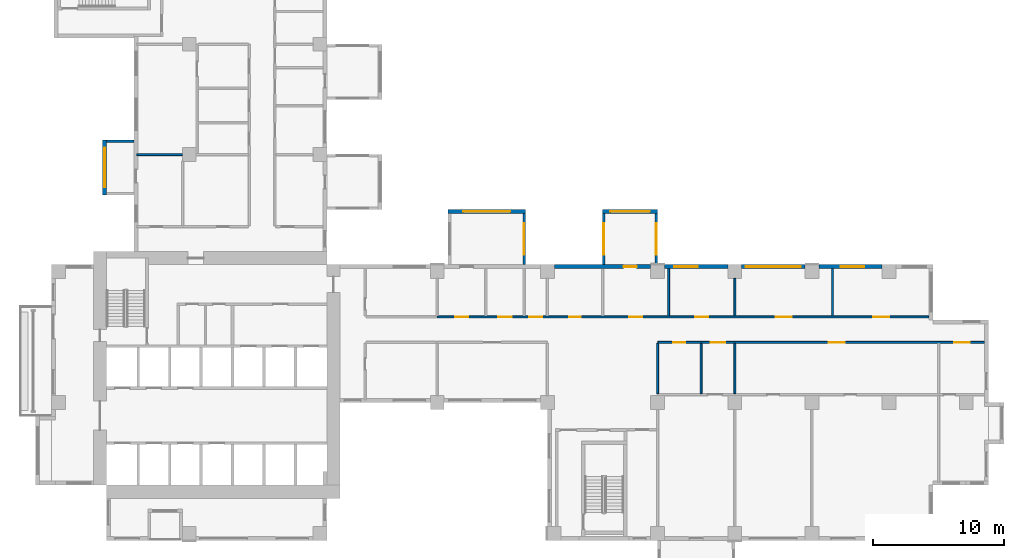
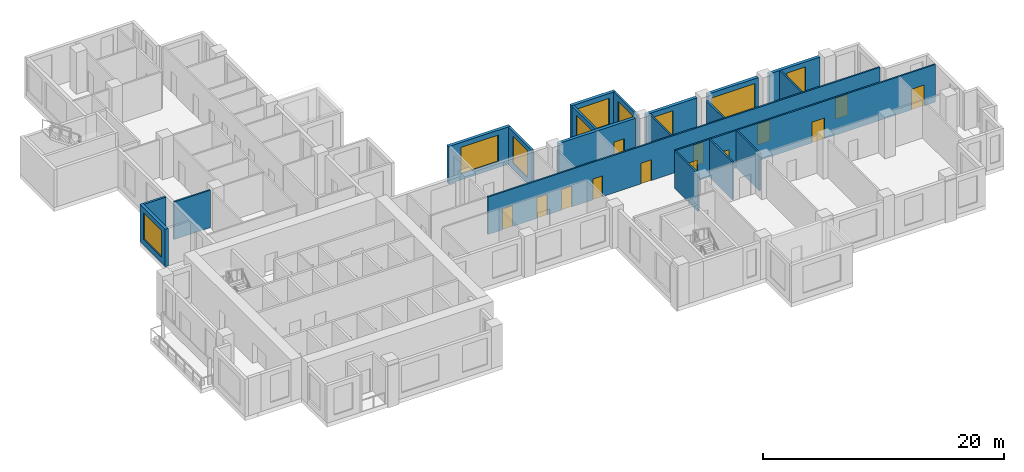
# One storey, part 5 of 14: 20 walls, 13 doors, 9 windows, 22 openings.
"""IFC4 building model written with IfcOpenShell, lengths in metres."""

from ifc_helpers import new_model, si_unit, direction, frame, frame_2d, origin, place, context, subcontext, project, spatial, rectangle, extrude, source, transform, mapped, material, layer, layer_set, type_object, element, fill, save


model = new_model("IFC4")

# Units and contexts
model_context = context("Model", 3, precision=1e-05, world=origin(), true_north=direction((0.0, 1.0)))
body_context = subcontext(model_context, "Body", "Model", "MODEL_VIEW")
ifc_project = project(units=[si_unit("LENGTHUNIT", "METRE"), si_unit("AREAUNIT", "SQUARE_METRE"), si_unit("VOLUMEUNIT", "CUBIC_METRE"), si_unit("PLANEANGLEUNIT", "RADIAN"), si_unit("MASSUNIT", "GRAM", prefix="KILO")], contexts=[model_context])

# Site, building, storey
site_placement = place(None, origin())
site = spatial("IfcSite", under=ifc_project, at=site_placement, CompositionType="ELEMENT")
building_placement = place(site_placement, origin())
building = spatial("IfcBuilding", under=site, at=building_placement, Name="Aurelian Terraces", CompositionType="ELEMENT")
storey_placement = place(building_placement, frame((0.0, 0.0, 149.7)))
storey = spatial("IfcBuildingStorey", under=building, at=storey_placement, Name="L33", CompositionType="ELEMENT", Elevation=149.7)

# Wall, opening, window
ifc_material_1 = material(Name="Concrete fc' 40 MPa", Category="concrete")
ifc_layer_1 = layer(ifc_material_1, 0.2)
ifc_layer_set_1 = layer_set([ifc_layer_1], Name="BOX BEARING WALL 200")
wall_type_1 = type_object("IfcWallType", Name="BOX BEARING WALL 200", PredefinedType="SOLIDWALL", material=ifc_layer_set_1)
shared_shape_1 = source(origin(), body_context, "Body", "SweptSolid", [
    extrude(rectangle(XDim=3.9, YDim=0.2, at=frame_2d((1.95, 0.0))), origin(), (0.0, 0.0, 1.0), 3.79),
])
wall_1_placement = place(storey_placement, frame((36.02, 21.0, 0.0), z_axis=(0.0, 0.0, 1.0), x_axis=(0.0, 1.0, 0.0)))
wall_1 = element("IfcWall", 1, at=wall_1_placement, inside=storey, type_object=wall_type_1, Name="Box return L33 J47.1", PredefinedType="SOLIDWALL", context=body_context, shape_type="MappedRepresentation", body=[
    mapped(shared_shape_1, transform((0.0, 0.0, 0.0), scale=1.0)),
])
shared_shape_2 = source(origin(), body_context, "Body", "SweptSolid", [
    extrude(rectangle(XDim=2.4, YDim=2.7, at=frame_2d((1.2, 1.35))), frame((0.0, 0.11, 0.0), z_axis=(0.0, -1.0, 0.0), x_axis=(1.0, 0.0, 0.0)), (0.0, 0.0, 1.0), 0.22),
])
opening_1_placement = place(wall_1_placement, frame((0.75, 0.0, 0.6)))
opening_1 = element("IfcOpeningElement", 2, at=opening_1_placement, cuts=wall_1, Name="Opening W2427", PredefinedType="OPENING", context=body_context, shape_type="MappedRepresentation", body=[
    mapped(shared_shape_2, transform((0.0, 0.0, 0.0), scale=1.0)),
])
ifc_material_2 = material(Name="Clear glazing", Category="glass")
window_type_1 = type_object("IfcWindowType", Name="W-2400x2700", PartitioningType="SINGLE_PANEL", PredefinedType="WINDOW", material=ifc_material_2)
shared_shape_3 = source(origin(), body_context, "Body", "SweptSolid", [
    extrude(rectangle(XDim=2.4, YDim=2.7, at=frame_2d((1.2, 1.35))), frame((0.0, 0.03, 0.0), z_axis=(0.0, -1.0, 0.0), x_axis=(1.0, 0.0, 0.0)), (0.0, 0.0, 1.0), 0.06),
])
window_1_placement = place(opening_1_placement, origin())
window_1 = element("IfcWindow", 3, at=window_1_placement, inside=storey, type_object=window_type_1, Name="Window L33 J47-S1", OverallHeight=2.7, OverallWidth=2.4, PartitioningType="SINGLE_PANEL", PredefinedType="WINDOW", context=body_context, shape_type="MappedRepresentation", body=[
    mapped(shared_shape_3, transform((0.0, 0.0, 0.0), scale=1.0)),
])
fill(opening_1, window_1)

wall_2_placement = place(storey_placement, frame((46.1, 21.0, 0.0), z_axis=(0.0, 0.0, 1.0), x_axis=(0.0, 1.0, 0.0)))
wall_2 = element("IfcWall", 4, at=wall_2_placement, inside=storey, type_object=wall_type_1, Name="Box return L33 J48.1", PredefinedType="SOLIDWALL", context=body_context, shape_type="MappedRepresentation", body=[
    mapped(shared_shape_1, transform((0.0, 0.0, 0.0), scale=1.0)),
])
opening_2_placement = place(wall_2_placement, frame((0.75, 0.0, 0.6)))
opening_2 = element("IfcOpeningElement", 5, at=opening_2_placement, cuts=wall_2, Name="Opening W2427", PredefinedType="OPENING", context=body_context, shape_type="MappedRepresentation", body=[
    mapped(shared_shape_2, transform((0.0, 0.0, 0.0), scale=1.0)),
])
window_2_placement = place(opening_2_placement, origin())
window_2 = element("IfcWindow", 6, at=window_2_placement, inside=storey, type_object=window_type_1, Name="Window L33 J48-S1", OverallHeight=2.7, OverallWidth=2.4, PartitioningType="SINGLE_PANEL", PredefinedType="WINDOW", context=body_context, shape_type="MappedRepresentation", body=[
    mapped(shared_shape_3, transform((0.0, 0.0, 0.0), scale=1.0)),
])
fill(opening_2, window_2)

wall_3_placement = place(storey_placement, frame((42.1, 21.0, 0.0), z_axis=(0.0, 0.0, 1.0), x_axis=(0.0, 1.0, 0.0)))
wall_3 = element("IfcWall", 7, at=wall_3_placement, inside=storey, type_object=wall_type_1, Name="Box return L33 J48.2", PredefinedType="SOLIDWALL", context=body_context, shape_type="MappedRepresentation", body=[
    mapped(shared_shape_1, transform((0.0, 0.0, 0.0), scale=1.0)),
])
opening_3_placement = place(wall_3_placement, frame((0.75, 0.0, 0.6)))
opening_3 = element("IfcOpeningElement", 8, at=opening_3_placement, cuts=wall_3, Name="Opening W2427", PredefinedType="OPENING", context=body_context, shape_type="MappedRepresentation", body=[
    mapped(shared_shape_2, transform((0.0, 0.0, 0.0), scale=1.0)),
])
window_3_placement = place(opening_3_placement, origin())
window_3 = element("IfcWindow", 9, at=window_3_placement, inside=storey, type_object=window_type_1, Name="Window L33 J48-S2", OverallHeight=2.7, OverallWidth=2.4, PartitioningType="SINGLE_PANEL", PredefinedType="WINDOW", context=body_context, shape_type="MappedRepresentation", body=[
    mapped(shared_shape_3, transform((0.0, 0.0, 0.0), scale=1.0)),
])
fill(opening_3, window_3)

ifc_layer_2 = layer(ifc_material_1, 0.3)
ifc_layer_set_2 = layer_set([ifc_layer_2], Name="BOX BEARING WALL 300")
wall_type_2 = type_object("IfcWallType", Name="BOX BEARING WALL 300", PredefinedType="SOLIDWALL", material=ifc_layer_set_2)
shared_shape_4 = source(origin(), body_context, "Body", "SweptSolid", [
    extrude(rectangle(XDim=5.88, YDim=0.3, at=frame_2d((2.94, 0.0))), origin(), (0.0, 0.0, 1.0), 3.79),
])
wall_4_placement = place(storey_placement, frame((36.12, 25.05, 0.0), z_axis=(0.0, 0.0, 1.0), x_axis=(-1.0, 0.0, 0.0)))
wall_4 = element("IfcWall", 10, at=wall_4_placement, inside=storey, type_object=wall_type_2, Name="Box wall L33 J47", PredefinedType="SOLIDWALL", context=body_context, shape_type="MappedRepresentation", body=[
    mapped(shared_shape_4, transform((0.0, 0.0, 0.0), scale=1.0)),
])
shared_shape_5 = source(origin(), body_context, "Body", "SweptSolid", [
    extrude(rectangle(XDim=3.6, YDim=2.7, at=frame_2d((1.8, 1.35))), frame((0.0, 0.16, 0.0), z_axis=(0.0, -1.0, 0.0), x_axis=(1.0, 0.0, 0.0)), (0.0, 0.0, 1.0), 0.32),
])
opening_4_placement = place(wall_4_placement, frame((1.14, 0.0, 0.6)))
opening_4 = element("IfcOpeningElement", 11, at=opening_4_placement, cuts=wall_4, Name="Opening W3627", PredefinedType="OPENING", context=body_context, shape_type="MappedRepresentation", body=[
    mapped(shared_shape_5, transform((0.0, 0.0, 0.0), scale=1.0)),
])
window_type_2 = type_object("IfcWindowType", Name="W-3600x2700", PartitioningType="SINGLE_PANEL", PredefinedType="WINDOW", material=ifc_material_2)
shared_shape_6 = source(origin(), body_context, "Body", "SweptSolid", [
    extrude(rectangle(XDim=3.6, YDim=2.7, at=frame_2d((1.8, 1.35))), frame((0.0, 0.03, 0.0), z_axis=(0.0, -1.0, 0.0), x_axis=(1.0, 0.0, 0.0)), (0.0, 0.0, 1.0), 0.06),
])
window_4_placement = place(opening_4_placement, origin())
window_4 = element("IfcWindow", 12, at=window_4_placement, inside=storey, type_object=window_type_2, Name="Window L33 J47-F1", OverallHeight=2.7, OverallWidth=3.6, PartitioningType="SINGLE_PANEL", PredefinedType="WINDOW", context=body_context, shape_type="MappedRepresentation", body=[
    mapped(shared_shape_6, transform((0.0, 0.0, 0.0), scale=1.0)),
])
fill(opening_4, window_4)

shared_shape_7 = source(origin(), body_context, "Body", "SweptSolid", [
    extrude(rectangle(XDim=4.2, YDim=0.3, at=frame_2d((2.1, 0.0))), origin(), (0.0, 0.0, 1.0), 3.79),
])
wall_5_placement = place(storey_placement, frame((46.2, 25.05, 0.0), z_axis=(0.0, 0.0, 1.0), x_axis=(-1.0, 0.0, 0.0)))
wall_5 = element("IfcWall", 13, at=wall_5_placement, inside=storey, type_object=wall_type_2, Name="Box wall L33 J48", PredefinedType="SOLIDWALL", context=body_context, shape_type="MappedRepresentation", body=[
    mapped(shared_shape_7, transform((0.0, 0.0, 0.0), scale=1.0)),
])
shared_shape_8 = source(origin(), body_context, "Body", "SweptSolid", [
    extrude(rectangle(XDim=3.0, YDim=2.7, at=frame_2d((1.5, 1.35))), frame((0.0, 0.16, 0.0), z_axis=(0.0, -1.0, 0.0), x_axis=(1.0, 0.0, 0.0)), (0.0, 0.0, 1.0), 0.32),
])
opening_5_placement = place(wall_5_placement, frame((0.6, 0.0, 0.6)))
opening_5 = element("IfcOpeningElement", 14, at=opening_5_placement, cuts=wall_5, Name="Opening W3027", PredefinedType="OPENING", context=body_context, shape_type="MappedRepresentation", body=[
    mapped(shared_shape_8, transform((0.0, 0.0, 0.0), scale=1.0)),
])
window_type_3 = type_object("IfcWindowType", Name="W-3000x2700", PartitioningType="SINGLE_PANEL", PredefinedType="WINDOW", material=ifc_material_2)
shared_shape_9 = source(origin(), body_context, "Body", "SweptSolid", [
    extrude(rectangle(XDim=3.0, YDim=2.7, at=frame_2d((1.5, 1.35))), frame((0.0, 0.03, 0.0), z_axis=(0.0, -1.0, 0.0), x_axis=(1.0, 0.0, 0.0)), (0.0, 0.0, 1.0), 0.06),
])
window_5_placement = place(opening_5_placement, origin())
window_5 = element("IfcWindow", 15, at=window_5_placement, inside=storey, type_object=window_type_3, Name="Window L33 J48-F1", OverallHeight=2.7, OverallWidth=3.0, PartitioningType="SINGLE_PANEL", PredefinedType="WINDOW", context=body_context, shape_type="MappedRepresentation", body=[
    mapped(shared_shape_9, transform((0.0, 0.0, 0.0), scale=1.0)),
])
fill(opening_5, window_5)

wall_6_placement = place(storey_placement, frame((4.05, 30.5, 0.0), z_axis=(0.0, 0.0, 1.0), x_axis=(0.0, -1.0, 0.0)))
wall_6 = element("IfcWall", 16, at=wall_6_placement, inside=storey, type_object=wall_type_2, Name="Box wall L33 J50", PredefinedType="SOLIDWALL", context=body_context, shape_type="MappedRepresentation", body=[
    mapped(shared_shape_7, transform((0.0, 0.0, 0.0), scale=1.0)),
])
opening_6_placement = place(wall_6_placement, frame((0.6, 0.0, 0.6)))
opening_6 = element("IfcOpeningElement", 17, at=opening_6_placement, cuts=wall_6, Name="Opening W3027", PredefinedType="OPENING", context=body_context, shape_type="MappedRepresentation", body=[
    mapped(shared_shape_8, transform((0.0, 0.0, 0.0), scale=1.0)),
])
window_6_placement = place(opening_6_placement, origin())
window_6 = element("IfcWindow", 18, at=window_6_placement, inside=storey, type_object=window_type_3, Name="Window L33 J50-F1", OverallHeight=2.7, OverallWidth=3.0, PartitioningType="SINGLE_PANEL", PredefinedType="WINDOW", context=body_context, shape_type="MappedRepresentation", body=[
    mapped(shared_shape_9, transform((0.0, 0.0, 0.0), scale=1.0)),
])
fill(opening_6, window_6)

# Wall, opening, door
ifc_material_3 = material(Name="Terracotta rainscreen cladding", Category="masonry")
ifc_layer_3 = layer(ifc_material_3, 0.3)
ifc_layer_set_3 = layer_set([ifc_layer_3], Name="EW-300")
wall_type_3 = type_object("IfcWallType", Name="EW-300", PredefinedType="STANDARD", material=ifc_layer_set_3)
shared_shape_10 = source(origin(), body_context, "Body", "SweptSolid", [
    extrude(rectangle(XDim=7.35, YDim=0.3, at=frame_2d((3.675, 0.0))), origin(), (0.0, 0.0, 1.0), 3.8),
])
wall_7_placement = place(storey_placement, frame((45.675, 20.85, 0.0), z_axis=(0.0, 0.0, 1.0), x_axis=(-1.0, 0.0, 0.0)))
wall_7 = element("IfcWall", 19, at=wall_7_placement, inside=storey, type_object=wall_type_3, Name="External wall L33 F11.23", PredefinedType="STANDARD", context=body_context, shape_type="MappedRepresentation", body=[
    mapped(shared_shape_10, transform((0.0, 0.0, 0.0), scale=1.0)),
])
shared_shape_11 = source(origin(), body_context, "Body", "SweptSolid", [
    extrude(rectangle(XDim=1.0, YDim=2.1, at=frame_2d((0.5, 1.05))), frame((0.0, 0.16, 0.0), z_axis=(0.0, -1.0, 0.0), x_axis=(1.0, 0.0, 0.0)), (0.0, 0.0, 1.0), 0.32),
])
opening_7_placement = place(wall_7_placement, frame((1.075, 0.0, 0.0)))
opening_7 = element("IfcOpeningElement", 20, at=opening_7_placement, cuts=wall_7, Name="Opening 833004", PredefinedType="OPENING", context=body_context, shape_type="MappedRepresentation", body=[
    mapped(shared_shape_11, transform((0.0, 0.0, 0.0), scale=1.0)),
])
ifc_material_4 = material(Name="Timber door leaf", Category="wood")
door_type_1 = type_object("IfcDoorType", Name="Room door 1000x2100 left", OperationType="SINGLE_SWING_LEFT", PredefinedType="DOOR", material=ifc_material_4)
shared_shape_12 = source(origin(), body_context, "Body", "SweptSolid", [
    extrude(rectangle(XDim=1.0, YDim=2.1, at=frame_2d((0.5, 1.05))), frame((0.0, 0.025, 0.0), z_axis=(0.0, -1.0, 0.0), x_axis=(1.0, 0.0, 0.0)), (0.0, 0.0, 1.0), 0.05),
])
door_1_placement = place(opening_7_placement, origin())
door_1 = element("IfcDoor", 21, at=door_1_placement, inside=storey, type_object=door_type_1, Name="Door 833004", OperationType="SINGLE_SWING_LEFT", OverallHeight=2.1, OverallWidth=1.0, PredefinedType="DOOR", context=body_context, shape_type="MappedRepresentation", body=[
    mapped(shared_shape_12, transform((0.0, 0.0, 0.0), scale=1.0)),
])
fill(opening_7, door_1)

# Wall, opening, window
shared_shape_13 = source(origin(), body_context, "Body", "SweptSolid", [
    extrude(rectangle(XDim=4.83, YDim=0.3, at=frame_2d((2.415, 0.0))), origin(), (0.0, 0.0, 1.0), 3.8),
])
wall_8_placement = place(storey_placement, frame((63.315, 20.85, 0.0), z_axis=(0.0, 0.0, 1.0), x_axis=(-1.0, 0.0, 0.0)))
wall_8 = element("IfcWall", 22, at=wall_8_placement, inside=storey, type_object=wall_type_3, Name="External wall L33 F11.22", PredefinedType="STANDARD", context=body_context, shape_type="MappedRepresentation", body=[
    mapped(shared_shape_13, transform((0.0, 0.0, 0.0), scale=1.0)),
])
shared_shape_14 = source(origin(), body_context, "Body", "SweptSolid", [
    extrude(rectangle(XDim=1.8, YDim=2.7, at=frame_2d((0.9, 1.35))), frame((0.0, 0.16, 0.0), z_axis=(0.0, -1.0, 0.0), x_axis=(1.0, 0.0, 0.0)), (0.0, 0.0, 1.0), 0.32),
])
opening_8_placement = place(wall_8_placement, frame((1.3635, 0.0, 0.6)))
opening_8 = element("IfcOpeningElement", 23, at=opening_8_placement, cuts=wall_8, Name="Opening W1827", PredefinedType="OPENING", context=body_context, shape_type="MappedRepresentation", body=[
    mapped(shared_shape_14, transform((0.0, 0.0, 0.0), scale=1.0)),
])
window_type_4 = type_object("IfcWindowType", Name="W-1800x2700", PartitioningType="SINGLE_PANEL", PredefinedType="WINDOW", material=ifc_material_2)
shared_shape_15 = source(origin(), body_context, "Body", "SweptSolid", [
    extrude(rectangle(XDim=1.8, YDim=2.7, at=frame_2d((0.9, 1.35))), frame((0.0, 0.03, 0.0), z_axis=(0.0, -1.0, 0.0), x_axis=(1.0, 0.0, 0.0)), (0.0, 0.0, 1.0), 0.06),
])
window_7_placement = place(opening_8_placement, origin())
window_7 = element("IfcWindow", 24, at=window_7_placement, inside=storey, type_object=window_type_4, Name="Window L33 L33-F11-22-1", OverallHeight=2.7, OverallWidth=1.8, PartitioningType="SINGLE_PANEL", PredefinedType="WINDOW", context=body_context, shape_type="MappedRepresentation", body=[
    mapped(shared_shape_15, transform((0.0, 0.0, 0.0), scale=1.0)),
])
fill(opening_8, window_7)

wall_9_placement = place(storey_placement, frame((57.435, 20.85, 0.0), z_axis=(0.0, 0.0, 1.0), x_axis=(-1.0, 0.0, 0.0)))
wall_9 = element("IfcWall", 25, at=wall_9_placement, inside=storey, type_object=wall_type_3, Name="External wall L33 F11.22", PredefinedType="STANDARD", context=body_context, shape_type="MappedRepresentation", body=[
    mapped(shared_shape_13, transform((0.0, 0.0, 0.0), scale=1.0)),
])
shared_shape_16 = source(origin(), body_context, "Body", "SweptSolid", [
    extrude(rectangle(XDim=4.2, YDim=2.7, at=frame_2d((2.1, 1.35))), frame((0.0, 0.16, 0.0), z_axis=(0.0, -1.0, 0.0), x_axis=(1.0, 0.0, 0.0)), (0.0, 0.0, 1.0), 0.32),
])
opening_9_placement = place(wall_9_placement, frame((0.315, 0.0, 0.6)))
opening_9 = element("IfcOpeningElement", 26, at=opening_9_placement, cuts=wall_9, Name="Opening W4227", PredefinedType="OPENING", context=body_context, shape_type="MappedRepresentation", body=[
    mapped(shared_shape_16, transform((0.0, 0.0, 0.0), scale=1.0)),
])
window_type_5 = type_object("IfcWindowType", Name="W-4200x2700", PartitioningType="SINGLE_PANEL", PredefinedType="WINDOW", material=ifc_material_2)
shared_shape_17 = source(origin(), body_context, "Body", "SweptSolid", [
    extrude(rectangle(XDim=4.2, YDim=2.7, at=frame_2d((2.1, 1.35))), frame((0.0, 0.03, 0.0), z_axis=(0.0, -1.0, 0.0), x_axis=(1.0, 0.0, 0.0)), (0.0, 0.0, 1.0), 0.06),
])
window_8_placement = place(opening_9_placement, origin())
window_8 = element("IfcWindow", 27, at=window_8_placement, inside=storey, type_object=window_type_5, Name="Window L33 L33-F11-22-P2", OverallHeight=2.7, OverallWidth=4.2, PartitioningType="SINGLE_PANEL", PredefinedType="WINDOW", context=body_context, shape_type="MappedRepresentation", body=[
    mapped(shared_shape_17, transform((0.0, 0.0, 0.0), scale=1.0)),
])
fill(opening_9, window_8)

wall_10_placement = place(storey_placement, frame((51.555, 20.85, 0.0), z_axis=(0.0, 0.0, 1.0), x_axis=(-1.0, 0.0, 0.0)))
wall_10 = element("IfcWall", 28, at=wall_10_placement, inside=storey, type_object=wall_type_3, Name="External wall L33 F11.22", PredefinedType="STANDARD", context=body_context, shape_type="MappedRepresentation", body=[
    mapped(shared_shape_13, transform((0.0, 0.0, 0.0), scale=1.0)),
])
opening_10_placement = place(wall_10_placement, frame((2.2975, 0.0, 0.6)))
opening_10 = element("IfcOpeningElement", 29, at=opening_10_placement, cuts=wall_10, Name="Opening W1827", PredefinedType="OPENING", context=body_context, shape_type="MappedRepresentation", body=[
    mapped(shared_shape_14, transform((0.0, 0.0, 0.0), scale=1.0)),
])
window_9_placement = place(opening_10_placement, origin())
window_9 = element("IfcWindow", 30, at=window_9_placement, inside=storey, type_object=window_type_4, Name="Window L33 L33-F11-22-4", OverallHeight=2.7, OverallWidth=1.8, PartitioningType="SINGLE_PANEL", PredefinedType="WINDOW", context=body_context, shape_type="MappedRepresentation", body=[
    mapped(shared_shape_15, transform((0.0, 0.0, 0.0), scale=1.0)),
])
fill(opening_10, window_9)

# Walls
shared_shape_18 = source(origin(), body_context, "Body", "SweptSolid", [
    extrude(rectangle(XDim=2.1, YDim=0.2, at=frame_2d((1.05, 0.0))), origin(), (0.0, 0.0, 1.0), 3.79),
])
wall_11_placement = place(storey_placement, frame((6.3, 30.4, 0.0), z_axis=(0.0, 0.0, 1.0), x_axis=(-1.0, 0.0, 0.0)))
element("IfcWall", 31, at=wall_11_placement, inside=storey, type_object=wall_type_1, Name="Box return L33 J50.1", PredefinedType="SOLIDWALL", context=body_context, shape_type="MappedRepresentation", body=[
    mapped(shared_shape_18, transform((0.0, 0.0, 0.0), scale=1.0)),
])
ifc_material_5 = material(Name="Gypsum board on steel studs", Category="steel")
ifc_layer_4 = layer(ifc_material_5, 0.15)
ifc_layer_set_4 = layer_set([ifc_layer_4], Name="Partition 150")
wall_type_4 = type_object("IfcWallType", Name="Partition 150", PredefinedType="PARTITIONING", material=ifc_layer_set_4)
shared_shape_19 = source(origin(), body_context, "Body", "SweptSolid", [
    extrude(rectangle(XDim=3.6, YDim=0.15, at=frame_2d((1.8, 0.0))), origin(), (0.0, 0.0, 1.0), 3.8),
])
for number, where, z_axis, x_axis, name in (
    (32, (47.04, 20.7, 0.0), (0.0, 0.0, 1.0), (0.0, -1.0, 0.0), "Partition"),
    (33, (59.5275, 20.7, 0.0), (0.0, 0.0, 1.0), (0.0, -1.0, 0.0), "Partition"),
):
    element("IfcWall", number, at=place(storey_placement, frame(where, z_axis=z_axis, x_axis=x_axis)), inside=storey, type_object=wall_type_4, Name=name, PredefinedType="PARTITIONING", context=body_context, shape_type="MappedRepresentation", body=[
        mapped(shared_shape_19, transform((0.0, 0.0, 0.0), scale=1.0)),
    ])

# Wall, openings, doors
ifc_layer_5 = layer(ifc_material_5, 0.15)
ifc_layer_set_5 = layer_set([ifc_layer_5], Name="Fire partition 150")
wall_type_5 = type_object("IfcWallType", Name="Fire partition 150", PredefinedType="PARTITIONING", material=ifc_layer_set_5)
shared_shape_20 = source(origin(), body_context, "Body", "SweptSolid", [
    extrude(rectangle(XDim=24.9, YDim=0.15, at=frame_2d((12.45, 0.0))), origin(), (0.0, 0.0, 1.0), 3.8),
])
wall_12_placement = place(storey_placement, frame((71.1, 15.075, 0.0), z_axis=(0.0, 0.0, 1.0), x_axis=(-1.0, 0.0, 0.0)))
wall_12 = element("IfcWall", 34, at=wall_12_placement, inside=storey, type_object=wall_type_5, Name="Corridor wall", PredefinedType="PARTITIONING", context=body_context, shape_type="MappedRepresentation", body=[
    mapped(shared_shape_20, transform((0.0, 0.0, 0.0), scale=1.0)),
])
shared_shape_21 = source(origin(), body_context, "Body", "SweptSolid", [
    extrude(rectangle(XDim=1.1, YDim=2.1, at=frame_2d((0.55, 1.05))), frame((0.0, 0.085, 0.0), z_axis=(0.0, -1.0, 0.0), x_axis=(1.0, 0.0, 0.0)), (0.0, 0.0, 1.0), 0.17),
])
opening_11_placement = place(wall_12_placement, frame((19.7542, 0.0, 0.0)))
opening_11 = element("IfcOpeningElement", 35, at=opening_11_placement, cuts=wall_12, Name="Opening 733005", PredefinedType="OPENING", context=body_context, shape_type="MappedRepresentation", body=[
    mapped(shared_shape_21, transform((0.0, 0.0, 0.0), scale=1.0)),
])
shared_shape_22 = source(origin(), body_context, "Body", "SweptSolid", [
    extrude(rectangle(XDim=0.9, YDim=2.1, at=frame_2d((0.45, 1.05))), frame((0.0, 0.085, 0.0), z_axis=(0.0, -1.0, 0.0), x_axis=(1.0, 0.0, 0.0)), (0.0, 0.0, 1.0), 0.17),
])
opening_12_placement = place(wall_12_placement, frame((22.7942, 0.0, 0.0)))
opening_12 = element("IfcOpeningElement", 36, at=opening_12_placement, cuts=wall_12, Name="Opening 733007", PredefinedType="OPENING", context=body_context, shape_type="MappedRepresentation", body=[
    mapped(shared_shape_22, transform((0.0, 0.0, 0.0), scale=1.0)),
])
shared_shape_23 = source(origin(), body_context, "Body", "SweptSolid", [
    extrude(rectangle(XDim=1.2, YDim=2.1, at=frame_2d((0.6, 1.05))), frame((0.0, 0.085, 0.0), z_axis=(0.0, -1.0, 0.0), x_axis=(1.0, 0.0, 0.0)), (0.0, 0.0, 1.0), 0.17),
])
opening_13_placement = place(wall_12_placement, frame((10.65, 0.0, 0.0)))
opening_13 = element("IfcOpeningElement", 37, at=opening_13_placement, cuts=wall_12, Name="Opening 733008", PredefinedType="OPENING", context=body_context, shape_type="MappedRepresentation", body=[
    mapped(shared_shape_23, transform((0.0, 0.0, 0.0), scale=1.0)),
])
opening_14_placement = place(wall_12_placement, frame((1.1025, 0.0, 0.0)))
opening_14 = element("IfcOpeningElement", 38, at=opening_14_placement, cuts=wall_12, Name="Opening 733011", PredefinedType="OPENING", context=body_context, shape_type="MappedRepresentation", body=[
    mapped(shared_shape_23, transform((0.0, 0.0, 0.0), scale=1.0)),
])
door_type_2 = type_object("IfcDoorType", Name="Room door 900x2100 right", OperationType="SINGLE_SWING_RIGHT", PredefinedType="DOOR", material=ifc_material_4)
shared_shape_24 = source(origin(), body_context, "Body", "SweptSolid", [
    extrude(rectangle(XDim=0.9, YDim=2.1, at=frame_2d((0.45, 1.05))), frame((0.0, 0.025, 0.0), z_axis=(0.0, -1.0, 0.0), x_axis=(1.0, 0.0, 0.0)), (0.0, 0.0, 1.0), 0.05),
])
door_2_placement = place(opening_12_placement, origin())
door_2 = element("IfcDoor", 39, at=door_2_placement, inside=storey, type_object=door_type_2, Name="Door 733007", OperationType="SINGLE_SWING_RIGHT", OverallHeight=2.1, OverallWidth=0.9, PredefinedType="DOOR", context=body_context, shape_type="MappedRepresentation", body=[
    mapped(shared_shape_24, transform((0.0, 0.0, 0.0), scale=1.0)),
])
fill(opening_12, door_2)
door_type_3 = type_object("IfcDoorType", Name="Room door 1100x2100 right", OperationType="SINGLE_SWING_RIGHT", PredefinedType="DOOR", material=ifc_material_4)
shared_shape_25 = source(origin(), body_context, "Body", "SweptSolid", [
    extrude(rectangle(XDim=1.1, YDim=2.1, at=frame_2d((0.55, 1.05))), frame((0.0, 0.025, 0.0), z_axis=(0.0, -1.0, 0.0), x_axis=(1.0, 0.0, 0.0)), (0.0, 0.0, 1.0), 0.05),
])
door_3_placement = place(opening_11_placement, origin())
door_3 = element("IfcDoor", 40, at=door_3_placement, inside=storey, type_object=door_type_3, Name="Door 733005", OperationType="SINGLE_SWING_RIGHT", OverallHeight=2.1, OverallWidth=1.1, PredefinedType="DOOR", context=body_context, shape_type="MappedRepresentation", body=[
    mapped(shared_shape_25, transform((0.0, 0.0, 0.0), scale=1.0)),
])
fill(opening_11, door_3)
door_type_4 = type_object("IfcDoorType", Name="Room door 1200x2100 right", OperationType="SINGLE_SWING_RIGHT", PredefinedType="DOOR", material=ifc_material_4)
shared_shape_26 = source(origin(), body_context, "Body", "SweptSolid", [
    extrude(rectangle(XDim=1.2, YDim=2.1, at=frame_2d((0.6, 1.05))), frame((0.0, 0.025, 0.0), z_axis=(0.0, -1.0, 0.0), x_axis=(1.0, 0.0, 0.0)), (0.0, 0.0, 1.0), 0.05),
])
door_4_placement = place(opening_13_placement, origin())
door_4 = element("IfcDoor", 41, at=door_4_placement, inside=storey, type_object=door_type_4, Name="Door 733008", OperationType="SINGLE_SWING_RIGHT", OverallHeight=2.1, OverallWidth=1.2, PredefinedType="DOOR", context=body_context, shape_type="MappedRepresentation", body=[
    mapped(shared_shape_26, transform((0.0, 0.0, 0.0), scale=1.0)),
])
fill(opening_13, door_4)
door_5_placement = place(opening_14_placement, origin())
door_5 = element("IfcDoor", 42, at=door_5_placement, inside=storey, type_object=door_type_4, Name="Door 733011", OperationType="SINGLE_SWING_RIGHT", OverallHeight=2.1, OverallWidth=1.2, PredefinedType="DOOR", context=body_context, shape_type="MappedRepresentation", body=[
    mapped(shared_shape_26, transform((0.0, 0.0, 0.0), scale=1.0)),
])
fill(opening_14, door_5)

shared_shape_27 = source(origin(), body_context, "Body", "SweptSolid", [
    extrude(rectangle(XDim=37.5, YDim=0.15, at=frame_2d((18.75, 0.0))), origin(), (0.0, 0.0, 1.0), 3.8),
])
wall_13_placement = place(storey_placement, frame((29.4, 17.025, 0.0), z_axis=(0.0, 0.0, 1.0), x_axis=(1.0, 0.0, 0.0)))
wall_13 = element("IfcWall", 43, at=wall_13_placement, inside=storey, type_object=wall_type_5, Name="Corridor wall", PredefinedType="PARTITIONING", context=body_context, shape_type="MappedRepresentation", body=[
    mapped(shared_shape_27, transform((0.0, 0.0, 0.0), scale=1.0)),
])
shared_shape_28 = source(origin(), body_context, "Body", "SweptSolid", [
    extrude(rectangle(XDim=1.0, YDim=2.1, at=frame_2d((0.5, 1.05))), frame((0.0, 0.085, 0.0), z_axis=(0.0, -1.0, 0.0), x_axis=(1.0, 0.0, 0.0)), (0.0, 0.0, 1.0), 0.17),
])
opening_15_placement = place(wall_13_placement, frame((1.3567, 0.0, 0.0)))
opening_15 = element("IfcOpeningElement", 44, at=opening_15_placement, cuts=wall_13, Name="Opening 733013", PredefinedType="OPENING", context=body_context, shape_type="MappedRepresentation", body=[
    mapped(shared_shape_28, transform((0.0, 0.0, 0.0), scale=1.0)),
])
opening_16_placement = place(wall_13_placement, frame((4.6686, 0.0, 0.0)))
opening_16 = element("IfcOpeningElement", 45, at=opening_16_placement, cuts=wall_13, Name="Opening 733014", PredefinedType="OPENING", context=body_context, shape_type="MappedRepresentation", body=[
    mapped(shared_shape_28, transform((0.0, 0.0, 0.0), scale=1.0)),
])
opening_17_placement = place(wall_13_placement, frame((7.012, 0.0, 0.0)))
opening_17 = element("IfcOpeningElement", 46, at=opening_17_placement, cuts=wall_13, Name="Opening 733015", PredefinedType="OPENING", context=body_context, shape_type="MappedRepresentation", body=[
    mapped(shared_shape_28, transform((0.0, 0.0, 0.0), scale=1.0)),
])
opening_18_placement = place(wall_13_placement, frame((10.05, 0.0, 0.0)))
opening_18 = element("IfcOpeningElement", 47, at=opening_18_placement, cuts=wall_13, Name="Opening 733016", PredefinedType="OPENING", context=body_context, shape_type="MappedRepresentation", body=[
    mapped(shared_shape_22, transform((0.0, 0.0, 0.0), scale=1.0)),
])
opening_19_placement = place(wall_13_placement, frame((14.62, 0.0, 0.0)))
opening_19 = element("IfcOpeningElement", 48, at=opening_19_placement, cuts=wall_13, Name="Opening 733017", PredefinedType="OPENING", context=body_context, shape_type="MappedRepresentation", body=[
    mapped(shared_shape_28, transform((0.0, 0.0, 0.0), scale=1.0)),
])
opening_20_placement = place(wall_13_placement, frame((19.66, 0.0, 0.0)))
opening_20 = element("IfcOpeningElement", 49, at=opening_20_placement, cuts=wall_13, Name="Opening 733018", PredefinedType="OPENING", context=body_context, shape_type="MappedRepresentation", body=[
    mapped(shared_shape_28, transform((0.0, 0.0, 0.0), scale=1.0)),
])
opening_21_placement = place(wall_13_placement, frame((25.8038, 0.0, 0.0)))
opening_21 = element("IfcOpeningElement", 50, at=opening_21_placement, cuts=wall_13, Name="Opening 733019", PredefinedType="OPENING", context=body_context, shape_type="MappedRepresentation", body=[
    mapped(shared_shape_23, transform((0.0, 0.0, 0.0), scale=1.0)),
])
opening_22_placement = place(wall_13_placement, frame((33.2512, 0.0, 0.0)))
opening_22 = element("IfcOpeningElement", 51, at=opening_22_placement, cuts=wall_13, Name="Opening 733020", PredefinedType="OPENING", context=body_context, shape_type="MappedRepresentation", body=[
    mapped(shared_shape_23, transform((0.0, 0.0, 0.0), scale=1.0)),
])
door_type_5 = type_object("IfcDoorType", Name="Room door 1000x2100 right", OperationType="SINGLE_SWING_RIGHT", PredefinedType="DOOR", material=ifc_material_4)
door_6_placement = place(opening_15_placement, origin())
door_6 = element("IfcDoor", 52, at=door_6_placement, inside=storey, type_object=door_type_5, Name="Door 733013", OperationType="SINGLE_SWING_RIGHT", OverallHeight=2.1, OverallWidth=1.0, PredefinedType="DOOR", context=body_context, shape_type="MappedRepresentation", body=[
    mapped(shared_shape_12, transform((0.0, 0.0, 0.0), scale=1.0)),
])
fill(opening_15, door_6)
door_7_placement = place(opening_16_placement, origin())
door_7 = element("IfcDoor", 53, at=door_7_placement, inside=storey, type_object=door_type_1, Name="Door 733014", OperationType="SINGLE_SWING_LEFT", OverallHeight=2.1, OverallWidth=1.0, PredefinedType="DOOR", context=body_context, shape_type="MappedRepresentation", body=[
    mapped(shared_shape_12, transform((0.0, 0.0, 0.0), scale=1.0)),
])
fill(opening_16, door_7)
door_8_placement = place(opening_17_placement, origin())
door_8 = element("IfcDoor", 54, at=door_8_placement, inside=storey, type_object=door_type_5, Name="Door 733015", OperationType="SINGLE_SWING_RIGHT", OverallHeight=2.1, OverallWidth=1.0, PredefinedType="DOOR", context=body_context, shape_type="MappedRepresentation", body=[
    mapped(shared_shape_12, transform((0.0, 0.0, 0.0), scale=1.0)),
])
fill(opening_17, door_8)
door_9_placement = place(opening_19_placement, origin())
door_9 = element("IfcDoor", 55, at=door_9_placement, inside=storey, type_object=door_type_5, Name="Door 733017", OperationType="SINGLE_SWING_RIGHT", OverallHeight=2.1, OverallWidth=1.0, PredefinedType="DOOR", context=body_context, shape_type="MappedRepresentation", body=[
    mapped(shared_shape_12, transform((0.0, 0.0, 0.0), scale=1.0)),
])
fill(opening_19, door_9)
door_10_placement = place(opening_20_placement, origin())
door_10 = element("IfcDoor", 56, at=door_10_placement, inside=storey, type_object=door_type_1, Name="Door 733018", OperationType="SINGLE_SWING_LEFT", OverallHeight=2.1, OverallWidth=1.0, PredefinedType="DOOR", context=body_context, shape_type="MappedRepresentation", body=[
    mapped(shared_shape_12, transform((0.0, 0.0, 0.0), scale=1.0)),
])
fill(opening_20, door_10)
door_11_placement = place(opening_18_placement, origin())
door_11 = element("IfcDoor", 57, at=door_11_placement, inside=storey, type_object=door_type_2, Name="Door 733016", OperationType="SINGLE_SWING_RIGHT", OverallHeight=2.1, OverallWidth=0.9, PredefinedType="DOOR", context=body_context, shape_type="MappedRepresentation", body=[
    mapped(shared_shape_24, transform((0.0, 0.0, 0.0), scale=1.0)),
])
fill(opening_18, door_11)
door_12_placement = place(opening_21_placement, origin())
door_12 = element("IfcDoor", 58, at=door_12_placement, inside=storey, type_object=door_type_4, Name="Door 733019", OperationType="SINGLE_SWING_RIGHT", OverallHeight=2.1, OverallWidth=1.2, PredefinedType="DOOR", context=body_context, shape_type="MappedRepresentation", body=[
    mapped(shared_shape_26, transform((0.0, 0.0, 0.0), scale=1.0)),
])
fill(opening_21, door_12)
door_type_6 = type_object("IfcDoorType", Name="Room door 1200x2100 left", OperationType="SINGLE_SWING_LEFT", PredefinedType="DOOR", material=ifc_material_4)
door_13_placement = place(opening_22_placement, origin())
door_13 = element("IfcDoor", 59, at=door_13_placement, inside=storey, type_object=door_type_6, Name="Door 733020", OperationType="SINGLE_SWING_LEFT", OverallHeight=2.1, OverallWidth=1.2, PredefinedType="DOOR", context=body_context, shape_type="MappedRepresentation", body=[
    mapped(shared_shape_26, transform((0.0, 0.0, 0.0), scale=1.0)),
])
fill(opening_22, door_13)

# Walls
shared_shape_29 = source(origin(), body_context, "Body", "SweptSolid", [
    extrude(rectangle(XDim=3.825, YDim=0.15, at=frame_2d((1.9125, 0.0))), origin(), (0.0, 0.0, 1.0), 3.8),
])
for number, where, z_axis, x_axis, name in (
    (60, (49.5116, 11.175, 0.0), (0.0, 0.0, 1.0), (0.0, 1.0, 0.0), "Partition"),
    (61, (46.2, 11.175, 0.0), (0.0, 0.0, 1.0), (0.0, 1.0, 0.0), "Partition"),
    (62, (52.08, 11.175, 0.0), (0.0, 0.0, 1.0), (0.0, 1.0, 0.0), "Partition"),
):
    element("IfcWall", number, at=place(storey_placement, frame(where, z_axis=z_axis, x_axis=x_axis)), inside=storey, type_object=wall_type_4, Name=name, PredefinedType="PARTITIONING", context=body_context, shape_type="MappedRepresentation", body=[
        mapped(shared_shape_29, transform((0.0, 0.0, 0.0), scale=1.0)),
    ])
shared_shape_30 = source(origin(), body_context, "Body", "SweptSolid", [
    extrude(rectangle(XDim=2.851, YDim=0.15, at=frame_2d((1.4255, 0.0))), origin(), (0.0, 0.0, 1.0), 3.8),
])
wall_14_placement = place(storey_placement, frame((52.08, 17.1, 0.0), z_axis=(0.0, 0.0, 1.0), x_axis=(0.0, 1.0, 0.0)))
element("IfcWall", 63, at=wall_14_placement, inside=storey, type_object=wall_type_4, Name="Partition", PredefinedType="PARTITIONING", context=body_context, shape_type="MappedRepresentation", body=[
    mapped(shared_shape_30, transform((0.0, 0.0, 0.0), scale=1.0)),
])
shared_shape_31 = source(origin(), body_context, "Body", "SweptSolid", [
    extrude(rectangle(XDim=3.471, YDim=0.15, at=frame_2d((1.7355, 0.0))), origin(), (0.0, 0.0, 1.0), 3.8),
])
wall_15_placement = place(storey_placement, frame((9.976, 29.4, 0.0), z_axis=(0.0, 0.0, 1.0), x_axis=(-1.0, 0.0, 0.0)))
element("IfcWall", 64, at=wall_15_placement, inside=storey, type_object=wall_type_4, Name="Partition", PredefinedType="PARTITIONING", context=body_context, shape_type="MappedRepresentation", body=[
    mapped(shared_shape_31, transform((0.0, 0.0, 0.0), scale=1.0)),
])

save(model, "model.ifc")
